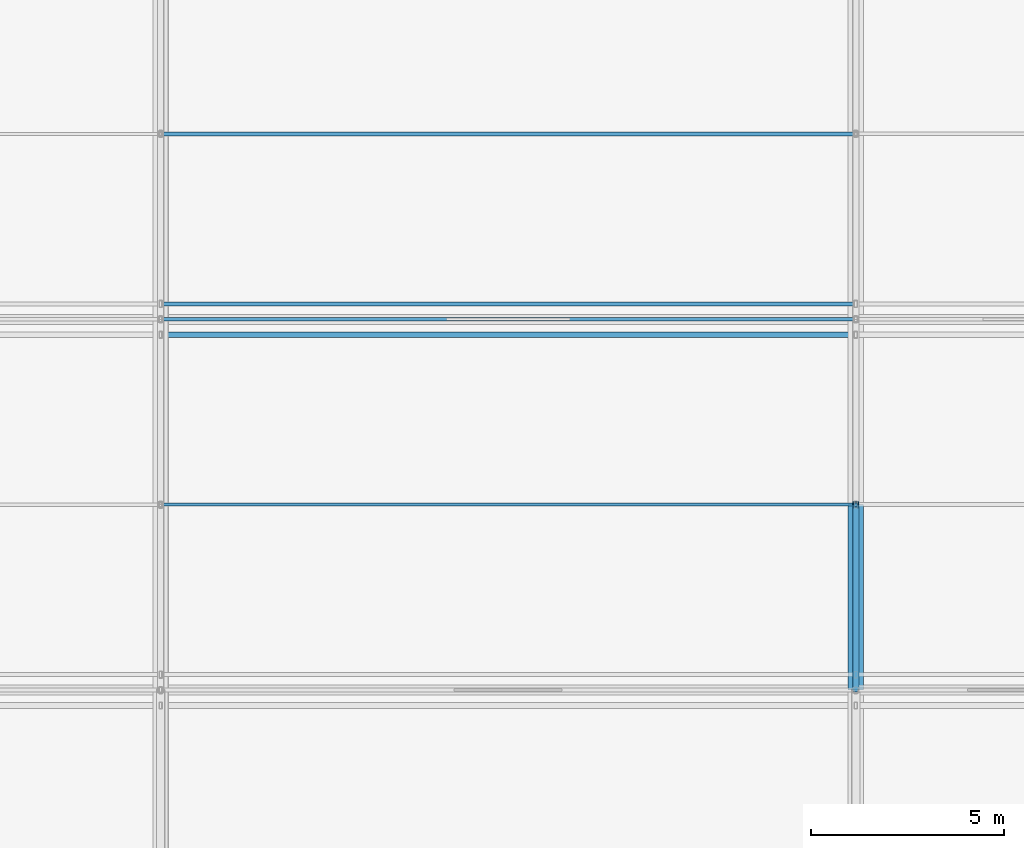
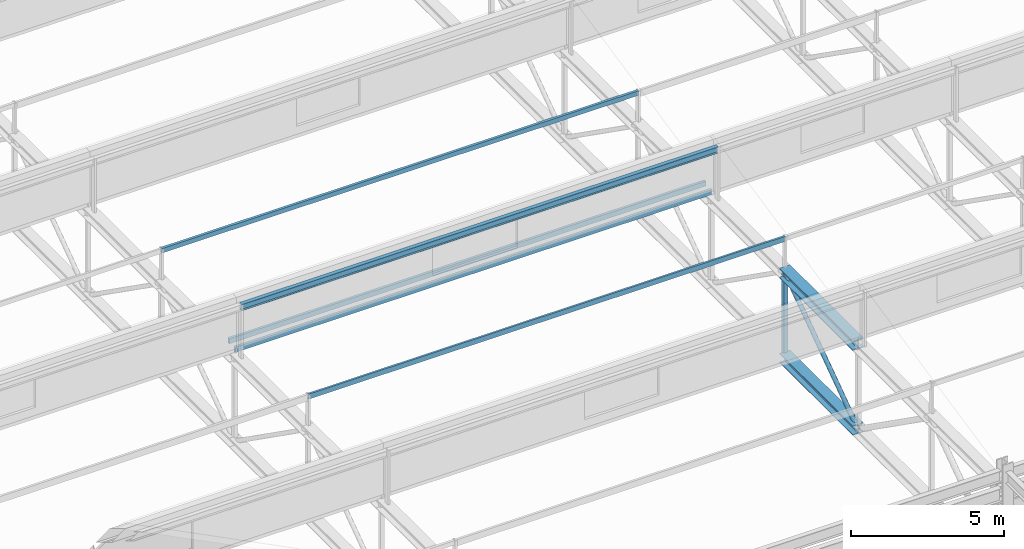
# One storey, part 23 of 136: 7 members, 2 beams.
"""IFC4 building model written with IfcOpenShell, lengths in metres."""

from ifc_helpers import new_model, si_unit, direction, frame, origin, origin_2d, place, context, subcontext, project, spatial, hollow_rectangle, hollow_circle, i_section, u_section, extrude, material, material_profile, profile_set, type_object, element, save


model = new_model("IFC4")

# Units and contexts
model_context = context("Model", 3, precision=1e-05, world=origin(), true_north=direction((0.0, 1.0)))
body_context = subcontext(model_context, "Body", "Model", "MODEL_VIEW")
ifc_project = project(units=[si_unit("LENGTHUNIT", "METRE"), si_unit("AREAUNIT", "SQUARE_METRE"), si_unit("VOLUMEUNIT", "CUBIC_METRE"), si_unit("PLANEANGLEUNIT", "RADIAN"), si_unit("MASSUNIT", "GRAM", prefix="KILO")], contexts=[model_context])

# Site, building, storey
site_placement = place(None, origin())
site = spatial("IfcSite", under=ifc_project, at=site_placement, CompositionType="ELEMENT")
building_placement = place(site_placement, origin())
building = spatial("IfcBuilding", under=site, at=building_placement, Name="Kisiwana Market Hall", CompositionType="ELEMENT")
storey_placement = place(building_placement, frame((0.0, 0.0, 16.800048828125)))
storey = spatial("IfcBuildingStorey", under=building, at=storey_placement, Name="L03", CompositionType="ELEMENT", Elevation=16.800048828125)

# Beams
ifc_material_1 = material(Name="Steel S355", Category="steel")
ifc_material_profile_1 = material_profile(ifc_material_1, i_section(OverallWidth=0.394775390625, OverallDepth=0.381103515625, WebThickness=0.018310546875, FlangeThickness=0.0302734375, at=origin_2d()), Name="UC 356x406x235")
ifc_profile_set_1 = profile_set([ifc_material_profile_1], Name="Steel S355")
beam_type_1 = type_object("IfcBeamType", Name="BM-TRUSS-BOT", PredefinedType="USERDEFINED", material=ifc_profile_set_1)
beam_1_placement = place(storey_placement, frame((81.0, 45.60009765625, 0.22998046875), z_axis=(0.0, 1.0, 0.0), x_axis=(-1.0, 0.0, 0.0)))
element("IfcBeam", 1, at=beam_1_placement, inside=storey, type_object=beam_type_1, Name="TR-03 BC panel 3 B-1220", ObjectType="ROOF TRUSS", PredefinedType="USERDEFINED", context=body_context, shape_type="SweptSolid", body=[
    extrude(i_section(OverallWidth=0.394775390625, OverallDepth=0.381103515625, WebThickness=0.018310546875, FlangeThickness=0.0302734375, at=origin_2d()), origin(), (0.0, 0.0, 1.0), 4.7998046875),
])
ifc_material_2 = material(Name="Steel S355", Category="steel")
ifc_material_profile_2 = material_profile(ifc_material_2, i_section(OverallWidth=0.39892578125, OverallDepth=0.3935546875, WebThickness=0.022705078125, FlangeThickness=0.03662109375, at=origin_2d()), Name="UC 356x406x287")
ifc_profile_set_2 = profile_set([ifc_material_profile_2], Name="Steel S355")
beam_type_2 = type_object("IfcBeamType", Name="BM-TRUSS-TOP", PredefinedType="USERDEFINED", material=ifc_profile_set_2)
beam_2_placement = place(storey_placement, frame((81.0, 45.60009765625, 3.619873046875), z_axis=(0.0, 1.0, 0.0), x_axis=(-1.0, 0.0, 0.0)))
element("IfcBeam", 2, at=beam_2_placement, inside=storey, type_object=beam_type_2, Name="TR-03 TC panel 3 B-1230", ObjectType="ROOF TRUSS", PredefinedType="USERDEFINED", context=body_context, shape_type="SweptSolid", body=[
    extrude(i_section(OverallWidth=0.39892578125, OverallDepth=0.3935546875, WebThickness=0.022705078125, FlangeThickness=0.03662109375, at=origin_2d()), origin(), (0.0, 0.0, 1.0), 4.7998046875),
])

# Members
ifc_material_3 = material(Name="Steel S355", Category="steel")
ifc_material_profile_3 = material_profile(ifc_material_3, u_section(Depth=0.199951171875, FlangeWidth=0.074951171875, WebThickness=0.006103515625, FlangeThickness=0.012451171875, at=origin_2d()), Name="PFC 200x75x23")
ifc_profile_set_3 = profile_set([ifc_material_profile_3], Name="Steel S355")
member_type_1 = type_object("IfcMemberType", Name="MB-PURL-PFC200", PredefinedType="PURLIN", material=ifc_profile_set_3)
member_1_placement = place(storey_placement, frame((63.0, 50.39990234375, 4.936279296875), z_axis=(1.0, 0.0, 0.0), x_axis=(0.0, 1.0, 0.0)))
element("IfcMember", 3, at=member_1_placement, inside=storey, type_object=member_type_1, Name="Sawtooth mid-slope roof purlin 25 M-0099", PredefinedType="PURLIN", context=body_context, shape_type="SweptSolid", body=[
    extrude(u_section(Depth=0.199951171875, FlangeWidth=0.074951171875, WebThickness=0.006103515625, FlangeThickness=0.012451171875, at=origin_2d()), origin(), (0.0, 0.0, 1.0), 18.0),
])
ifc_material_4 = material(Name="Steel S355", Category="steel")
ifc_material_profile_4 = material_profile(ifc_material_4, hollow_rectangle(XDim=0.10009765625, YDim=0.179931640625, WallThickness=0.008056640625, at=origin_2d()), Name="RHS 180x100x8")
ifc_profile_set_4 = profile_set([ifc_material_profile_4], Name="Steel S355")
member_type_2 = type_object("IfcMemberType", Name="MB-PURL-RHS180", PredefinedType="PURLIN", material=ifc_profile_set_4)
member_2_placement = place(storey_placement, frame((63.0, 60.0, 4.9462890625), z_axis=(1.0, 0.0, 0.0), x_axis=(0.0, 1.0, 0.0)))
element("IfcMember", 4, at=member_2_placement, inside=storey, type_object=member_type_2, Name="Sawtooth mid-slope roof purlin 38 M-0106", PredefinedType="PURLIN", context=body_context, shape_type="SweptSolid", body=[
    extrude(hollow_rectangle(XDim=0.10009765625, YDim=0.179931640625, WallThickness=0.008056640625, at=origin_2d()), origin(), (0.0, 0.0, 1.0), 18.0),
])
ifc_material_5 = material(Name="Steel S355", Category="steel")
ifc_material_profile_5 = material_profile(ifc_material_5, hollow_rectangle(XDim=0.10009765625, YDim=0.199951171875, WallThickness=0.008056640625, at=origin_2d()), Name="RHS 200x100x8.0")
ifc_profile_set_5 = profile_set([ifc_material_profile_5], Name="Steel S355")
member_type_3 = type_object("IfcMemberType", Name="MB-ROOF-PURLIN1", PredefinedType="PURLIN", material=ifc_profile_set_5)
for number, where, z_axis, x_axis, name in (
    (5, (63.0, 55.199951171875, 3.90087890625), (1.0, 0.0, 0.0), (0.0, 1.0, 0.0), "Sawtooth roof purlin 227 M-0152"),
    (6, (63.0, 55.60009765625, 4.0009765625), (1.0, 0.0, 0.0), (0.0, 1.0, 0.0), "Sawtooth roof purlin 270 M-0171"),
):
    element("IfcMember", number, at=place(storey_placement, frame(where, z_axis=z_axis, x_axis=x_axis)), inside=storey, type_object=member_type_3, Name=name, PredefinedType="PURLIN", context=body_context, shape_type="SweptSolid", body=[
        extrude(hollow_rectangle(XDim=0.10009765625, YDim=0.199951171875, WallThickness=0.008056640625, at=origin_2d()), origin(), (0.0, 0.0, 1.0), 18.0),
    ])
ifc_material_6 = material(Name="Steel S355", Category="steel")
ifc_material_profile_6 = material_profile(ifc_material_6, i_section(OverallWidth=0.146484375, OverallDepth=0.256103515625, WebThickness=0.00634765625, FlangeThickness=0.010986328125, at=origin_2d()), Name="UB 254x146x37")
ifc_profile_set_6 = profile_set([ifc_material_profile_6], Name="Steel S355")
member_type_4 = type_object("IfcMemberType", Name="MB-ROOF-PURLIN2", PredefinedType="PURLIN", material=ifc_profile_set_6)
member_3_placement = place(storey_placement, frame((63.0, 54.800048828125, 5.843505859375), z_axis=(1.0, 0.0, 0.0), x_axis=(0.0, 1.0, 0.0)))
element("IfcMember", 7, at=member_3_placement, inside=storey, type_object=member_type_4, Name="Sawtooth roof purlin 226 M-0151", PredefinedType="PURLIN", context=body_context, shape_type="SweptSolid", body=[
    extrude(i_section(OverallWidth=0.146484375, OverallDepth=0.256103515625, WebThickness=0.00634765625, FlangeThickness=0.010986328125, at=origin_2d()), origin(), (0.0, 0.0, 1.0), 18.0),
])
ifc_material_7 = material(Name="Steel S355", Category="steel")
ifc_material_profile_7 = material_profile(ifc_material_7, hollow_circle(Radius=0.084228515625, WallThickness=0.010009765625, at=origin_2d()), Name="CHS 168.3x10.0")
ifc_profile_set_7 = profile_set([ifc_material_profile_7], Name="Steel S355")
member_type_5 = type_object("IfcMemberType", Name="MB-TR-DIAG168", PredefinedType="BRACE", material=ifc_profile_set_7)
member_4_placement = place(storey_placement, frame((81.0, 45.60009765625, 0.22998046875), z_axis=(0.0, 0.816823908826, 0.576887079046), x_axis=(-1.0, 0.0, 0.0)))
element("IfcMember", 8, at=member_4_placement, inside=storey, type_object=member_type_5, Name="TR-03 diagonal 3 M-0376", PredefinedType="BRACE", context=body_context, shape_type="SweptSolid", body=[
    extrude(hollow_circle(Radius=0.084228515625, WallThickness=0.010009765625, at=origin_2d()), origin(), (0.0, 0.0, 1.0), 5.876220703125),
])
ifc_material_8 = material(Name="Steel S355", Category="steel")
ifc_material_profile_8 = material_profile(ifc_material_8, hollow_rectangle(XDim=0.14990234375, YDim=0.14990234375, WallThickness=0.008056640625, at=origin_2d()), Name="SHS 150x150x8.0")
ifc_profile_set_8 = profile_set([ifc_material_profile_8], Name="Steel S355")
member_type_6 = type_object("IfcMemberType", Name="MB-TR-STRUT200", PredefinedType="STRUT", material=ifc_profile_set_8)
member_5_placement = place(storey_placement, frame((81.0, 50.39990234375, 0.22998046875), z_axis=(0.0, 0.0, 1.0), x_axis=(1.0, 0.0, 0.0)))
element("IfcMember", 9, at=member_5_placement, inside=storey, type_object=member_type_6, Name="TR-03 vertical strut 4 M-0386", PredefinedType="STRUT", context=body_context, shape_type="SweptSolid", body=[
    extrude(hollow_rectangle(XDim=0.14990234375, YDim=0.14990234375, WallThickness=0.008056640625, at=origin_2d()), origin(), (0.0, 0.0, 1.0), 3.389892578125),
])

save(model, "model.ifc")
